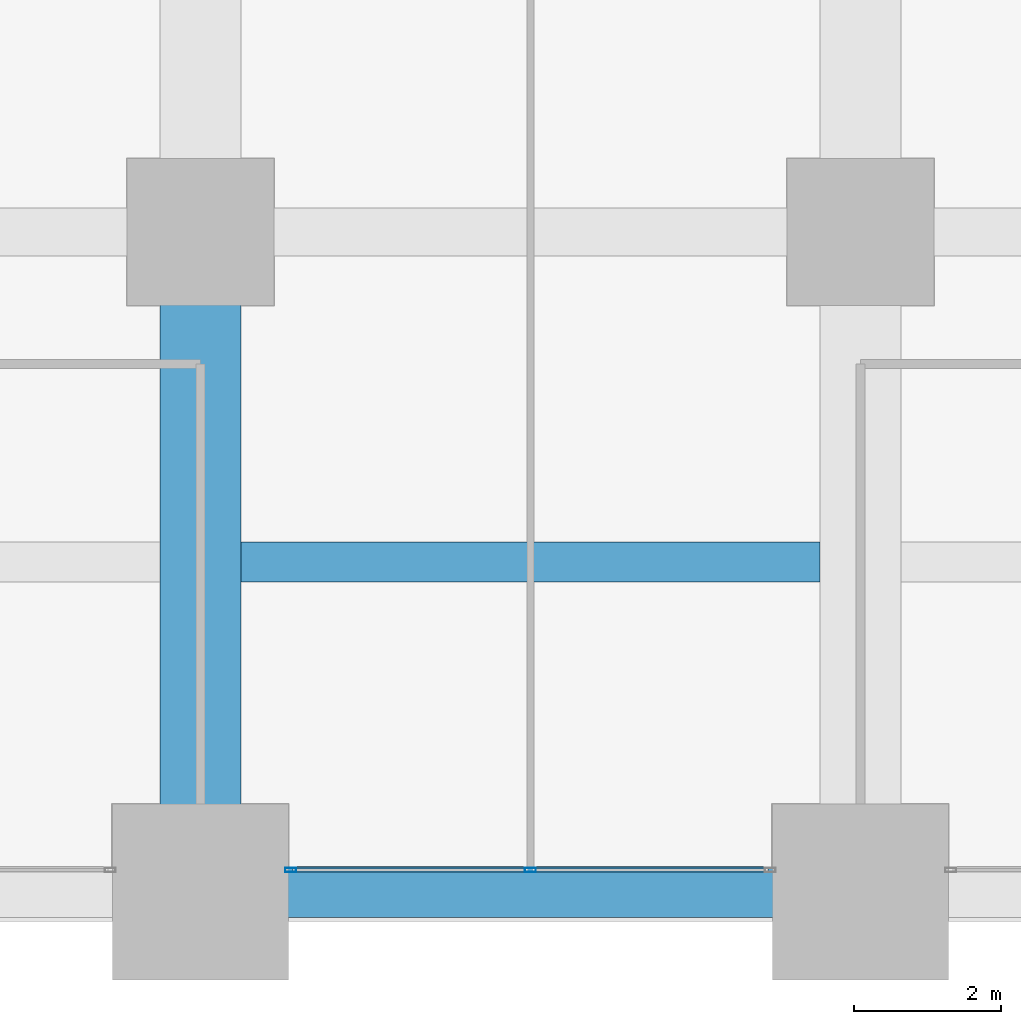
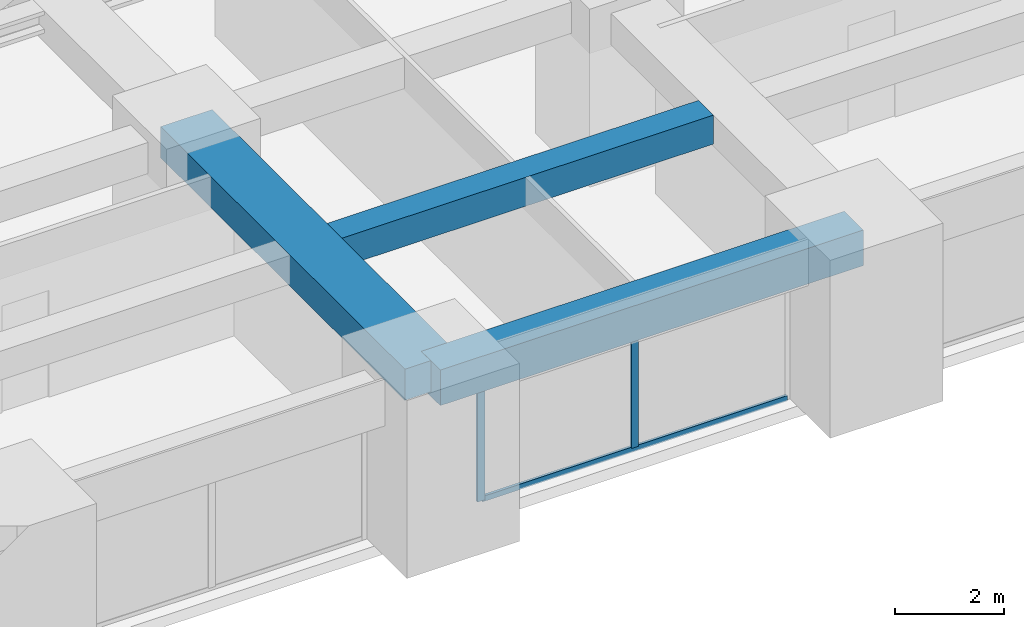
# One storey, part 7 of 39: 3 beams, 3 members, 1 element without a shape of its own.
"""IFC4 building model written with IfcOpenShell, lengths in metres."""

import ifcopenshell
import ifcopenshell.guid

model = None  # the IFC model being written
_history = None  # IfcOwnerHistory: only IFC2X3 demands one
_inside = {}  # id of a spatial element -> (the spatial element, [elements in it])
_under = {}  # id of a project, library or spatial element -> (it, [spatial elements below it])
_declared = {}  # id of a project -> (the project, [libraries it declares])
_typed = {}  # id of a type object -> (the type object, [elements of that type])
_made_of = {}  # id of a material, layer set ... -> (it, [elements and type objects made of it])


def new_model(schema):
    """Start an empty IFC model of exactly this schema.

    Asked for "IFC4X3", IfcOpenShell would pick the latest addendum, in which some entities
    have other attributes; the version numbers below select the first issue.
    IFC2X3 requires an IfcOwnerHistory on every rooted entity: one is made here for all.
    """
    global model, _history
    if schema == "IFC4X3":
        model = ifcopenshell.file(schema_version=(4, 3, 0, 0))
    else:
        model = ifcopenshell.file(schema=schema)
    _inside.clear()
    _under.clear()
    _declared.clear()
    _typed.clear()
    _made_of.clear()
    _history = None
    if model.schema == "IFC2X3":
        org = make("IfcOrganization", Name="unknown")
        user = make(
            "IfcPersonAndOrganization",
            ThePerson=make("IfcPerson", FamilyName="unknown"),
            TheOrganization=org,
        )
        app = make(
            "IfcApplication",
            ApplicationDeveloper=org,
            Version="unknown",
            ApplicationFullName="unknown",
            ApplicationIdentifier="unknown",
        )
        _history = make(
            "IfcOwnerHistory",
            OwningUser=user,
            OwningApplication=app,
            ChangeAction="ADDED",
            CreationDate=0,
        )
    return model


def make(cls, **values):
    """One entity of the class cls with the attributes given. An attribute that is None is left unset."""
    return model.create_entity(
        cls, **{name: value for name, value in values.items() if value is not None}
    )


def rooted(cls, **values):
    """An entity with a GlobalId (a new one), such as an element, a storey or a relation."""
    return make(cls, GlobalId=ifcopenshell.guid.new(), OwnerHistory=_history, **values)


def si_unit(unit_type, name, prefix=None):
    """IfcSIUnit, for example si_unit("LENGTHUNIT", "METRE", prefix="MILLI")."""
    return make("IfcSIUnit", UnitType=unit_type, Prefix=prefix, Name=name)


def assignment(units):
    """IfcUnitAssignment: the units of a project."""
    return None if units is None else make("IfcUnitAssignment", Units=units)


def point(xyz):
    """IfcCartesianPoint."""
    return None if xyz is None else make("IfcCartesianPoint", Coordinates=xyz)


def direction(xyz):
    """IfcDirection."""
    return None if xyz is None else make("IfcDirection", DirectionRatios=xyz)


def frame(location, z_axis=None, x_axis=None):
    """IfcAxis2Placement3D, a coordinate frame: its origin and axes. An axis left out is left unset."""
    return make(
        "IfcAxis2Placement3D",
        Location=point(location),
        Axis=direction(z_axis),
        RefDirection=direction(x_axis),
    )


def frame_2d(location, x_axis=None):
    """IfcAxis2Placement2D, a coordinate frame in the plane: its origin and x axis."""
    return make(
        "IfcAxis2Placement2D", Location=point(location), RefDirection=direction(x_axis)
    )


def origin():
    """The frame at (0, 0, 0) with its axes left unset."""
    return frame((0.0, 0.0, 0.0))


def origin_2d():
    """The frame at (0, 0) in the plane with its x axis left unset."""
    return frame_2d((0.0, 0.0))


def place(relative_to, where):
    """IfcLocalPlacement: puts the frame where relative to a parent placement (None: the world)."""
    return make(
        "IfcLocalPlacement", PlacementRelTo=relative_to, RelativePlacement=where
    )


def context(
    kind, dimensions, precision=None, world=None, true_north=None, identifier=None
):
    """IfcGeometricRepresentationContext, for example the 3D "Model" context."""
    return make(
        "IfcGeometricRepresentationContext",
        ContextIdentifier=identifier,
        ContextType=kind,
        CoordinateSpaceDimension=dimensions,
        Precision=precision,
        WorldCoordinateSystem=world,
        TrueNorth=true_north,
    )


def subcontext(parent, identifier, kind, view, scale=None):
    """IfcGeometricRepresentationSubContext, for example "Body" below "Model"."""
    return make(
        "IfcGeometricRepresentationSubContext",
        ContextIdentifier=identifier,
        ContextType=kind,
        ParentContext=parent,
        TargetScale=scale,
        TargetView=view,
    )


def project(units=None, contexts=None):
    """IfcProject with its units and contexts."""
    return rooted(
        "IfcProject",
        Name="project",
        RepresentationContexts=contexts,
        UnitsInContext=assignment(units),
    )


def spatial(cls, under=None, at=None, **own):
    """A site, building, storey or space (cls), placed at a placement, below another one or the project."""
    s = rooted(cls, ObjectPlacement=at, **own)
    if under is not None:
        _under.setdefault(under.id(), (under, []))[1].append(s)
    return s


def profile(cls, at=None, kind="AREA", **sizes):
    """A parametric profile (cls). Its sizes go by their IFC names, for example OverallWidth=200.0."""
    return make(cls, ProfileType=kind, Position=at, **sizes)


def rectangle(**sizes):
    """IfcRectangleProfileDef."""
    return profile("IfcRectangleProfileDef", **sizes)


def hollow_rectangle(**sizes):
    """IfcRectangleHollowProfileDef."""
    return profile("IfcRectangleHollowProfileDef", **sizes)


def extrude(swept, where, along, depth):
    """IfcExtrudedAreaSolid: the profile swept, set in the frame where, extruded along a direction by depth."""
    return make(
        "IfcExtrudedAreaSolid",
        SweptArea=swept,
        Position=where,
        ExtrudedDirection=direction(along),
        Depth=depth,
    )


def shape(context_of_items, identifier, shape_type, items):
    """IfcShapeRepresentation: the items that make up one representation, for example the "Body"."""
    return make(
        "IfcShapeRepresentation",
        ContextOfItems=context_of_items,
        RepresentationIdentifier=identifier,
        RepresentationType=shape_type,
        Items=items,
    )


def material(Name=None, Category=None):
    """IfcMaterial."""
    return make("IfcMaterial", Name=Name, Category=Category)


def material_profile(
    of_material, cross_section, Name=None, Category=None, Priority=None
):
    """IfcMaterialProfile: a cross section and its material."""
    return make(
        "IfcMaterialProfile",
        Name=Name,
        Material=of_material,
        Profile=cross_section,
        Priority=Priority,
        Category=Category,
    )


def profile_set(profiles, Name=None, composite=None):
    """IfcMaterialProfileSet."""
    return make(
        "IfcMaterialProfileSet",
        Name=Name,
        MaterialProfiles=profiles,
        CompositeProfile=composite,
    )


def made_of(thing, what):
    """Note that an element or type object is made of a material, layer set ...; save() writes the relation."""
    if what is not None:
        _made_of.setdefault(what.id(), (what, []))[1].append(thing)
    return thing


def type_object(cls, material=None, **own):
    """A type object (cls), such as IfcWallType, which elements share."""
    return made_of(rooted(cls, **own), material)


def element(
    cls,
    number,
    at=None,
    inside=None,
    cuts=None,
    type_object=None,
    material=None,
    context=None,
    identifier="Body",
    shape_type=None,
    held_by="IfcProductDefinitionShape",
    body=None,
    shapes=None,
    **own,
):
    """One element of the class cls, such as IfcWall. Its Tag is "e" and its number.

    at: its placement. inside: the storey or other place that contains it. cuts: it is an
    opening in that element (IfcRelVoidsElement). A single representation is given by context,
    identifier, shape_type and body (its items); several are given by shapes. held_by: the class
    of the entity that holds the representations. save() writes the other relations.
    """
    e = rooted(cls, Tag="e%d" % number, ObjectPlacement=at, **own)
    if body is not None:
        shapes = [shape(context, identifier, shape_type, body)]
    if shapes is not None:
        e.Representation = make(held_by, Representations=shapes)
    if inside is not None:
        _inside.setdefault(inside.id(), (inside, []))[1].append(e)
    if cuts is not None:
        rooted(
            "IfcRelVoidsElement", RelatingBuildingElement=cuts, RelatedOpeningElement=e
        )
    if type_object is not None:
        _typed.setdefault(type_object.id(), (type_object, []))[1].append(e)
    return made_of(e, material)


def aggregate(whole, parts):
    """IfcRelAggregates: a whole, such as a stair, and the parts it consists of."""
    return rooted("IfcRelAggregates", RelatingObject=whole, RelatedObjects=parts)


def save(model, path):
    """Write the relations noted so far, then the file.

    IfcRelAggregates (storeys below a building ...), IfcRelContainedInSpatialStructure (elements
    in a storey), IfcRelDefinesByType, IfcRelAssociatesMaterial and IfcRelDeclares: one each for
    every whole, place, type object, material and project.
    """
    for whole, parts in _under.values():
        aggregate(whole, parts)
    for where, things in _inside.values():
        rooted(
            "IfcRelContainedInSpatialStructure",
            RelatedElements=things,
            RelatingStructure=where,
        )
    for kind, things in _typed.values():
        rooted("IfcRelDefinesByType", RelatedObjects=things, RelatingType=kind)
    for what, things in _made_of.values():
        rooted("IfcRelAssociatesMaterial", RelatedObjects=things, RelatingMaterial=what)
    for by, libraries in _declared.values():
        rooted("IfcRelDeclares", RelatingContext=by, RelatedDefinitions=libraries)
    model.write(path)


model = new_model("IFC4")

# Units and contexts
model_context = context("Model", 3, precision=1e-05, world=origin(), true_north=direction((0.0, 1.0)))
body_context = subcontext(model_context, "Body", "Model", "MODEL_VIEW")
ifc_project = project(units=[si_unit("LENGTHUNIT", "METRE"), si_unit("AREAUNIT", "SQUARE_METRE"), si_unit("VOLUMEUNIT", "CUBIC_METRE"), si_unit("PLANEANGLEUNIT", "RADIAN"), si_unit("MASSUNIT", "GRAM", prefix="KILO")], contexts=[model_context])

# Site, building, storey
site_placement = place(None, origin())
site = spatial("IfcSite", under=ifc_project, at=site_placement, CompositionType="ELEMENT")
building_placement = place(site_placement, origin())
building = spatial("IfcBuilding", under=site, at=building_placement, Name="Zorevar Civic Tower", CompositionType="ELEMENT")
storey_placement = place(building_placement, frame((0.0, 0.0, 117.0)))
storey = spatial("IfcBuildingStorey", under=building, at=storey_placement, Name="L28", CompositionType="ELEMENT", Elevation=117.0)

# Beams
ifc_material_1 = material(Name="Concrete C50/60", Category="concrete")
ifc_material_profile_1 = material_profile(ifc_material_1, rectangle(XDim=1.10009765625, YDim=0.699951171875, at=origin_2d()), Name="RC 1100x700")
ifc_profile_set_1 = profile_set([ifc_material_profile_1], Name="Concrete C50/60")
beam_type_1 = type_object("IfcBeamType", Name="Beam RC 1100x700", PredefinedType="BEAM", material=ifc_profile_set_1)
beam_1_placement = place(storey_placement, frame((27.0, 0.0, 3.39990234375), z_axis=(0.0, 1.0, 0.0), x_axis=(-1.0, 0.0, 0.0)))
element("IfcBeam", 1, at=beam_1_placement, inside=storey, type_object=beam_type_1, Name="Girder L29", PredefinedType="BEAM", context=body_context, shape_type="SweptSolid", body=[
    extrude(rectangle(XDim=1.10009765625, YDim=0.699951171875, at=origin_2d()), origin(), (0.0, 0.0, 1.0), 9.0),
])
ifc_material_2 = material(Name="Concrete C50/60", Category="concrete")
ifc_material_profile_2 = material_profile(ifc_material_2, rectangle(XDim=0.550048828125, YDim=0.64990234375, at=origin_2d()), Name="RC 550x650")
ifc_profile_set_2 = profile_set([ifc_material_profile_2], Name="Concrete C50/60")
beam_type_2 = type_object("IfcBeamType", Name="Beam RC 550x650", PredefinedType="BEAM", material=ifc_profile_set_2)
beam_2_placement = place(storey_placement, frame((27.550048828125, 4.5, 3.425048828125), z_axis=(1.0, 0.0, 0.0), x_axis=(0.0, 1.0, 0.0)))
element("IfcBeam", 2, at=beam_2_placement, inside=storey, type_object=beam_type_2, Name="Secondary beam L29", PredefinedType="BEAM", context=body_context, shape_type="SweptSolid", body=[
    extrude(rectangle(XDim=0.550048828125, YDim=0.64990234375, at=origin_2d()), origin(), (0.0, 0.0, 1.0), 7.89990234375),
])

# Curtain wall, members
ifc_material_3 = material(Name="Dark grey solar-control glass in black aluminium frame", Category="aluminium")
curtain_wall_type = type_object("IfcCurtainWallType", Name="Curtain wall CW3 mid zone", PredefinedType="NOTDEFINED", material=ifc_material_3)
curtain_wall_placement = place(storey_placement, origin())
curtain_wall = element("IfcCurtainWall", 3, at=curtain_wall_placement, inside=storey, type_object=curtain_wall_type, Name="CW3 L28", PredefinedType="NOTDEFINED")
ifc_material_4 = material(Name="Aluminium, black anodised", Category="aluminium")
ifc_material_profile_3 = material_profile(ifc_material_4, hollow_rectangle(XDim=0.06005859375, YDim=0.14990234375, WallThickness=0.00390625, at=origin_2d()), Name="AL 150x60x4")
ifc_profile_set_3 = profile_set([ifc_material_profile_3], Name="Aluminium, black anodised")
member_type_1 = type_object("IfcMemberType", Name="CW3 mullion AL 150x60x4", PredefinedType="MULLION", material=ifc_profile_set_3)
member_1_placement = place(storey_placement, frame((28.22998046875, 0.300048828125, 0.0), z_axis=(0.0, 0.0, 1.0), x_axis=(0.0, 1.0, 0.0)))
member_1 = element("IfcMember", 4, at=member_1_placement, type_object=member_type_1, Name="CW3 mullion 1", PredefinedType="MULLION", context=body_context, shape_type="SweptSolid", body=[
    extrude(hollow_rectangle(XDim=0.06005859375, YDim=0.14990234375, WallThickness=0.00390625, at=origin_2d()), origin(), (0.0, 0.0, 1.0), 2.949951171875),
])
member_2_placement = place(storey_placement, frame((31.5, 0.300048828125, 0.06005859375), z_axis=(0.0, 0.0, 1.0), x_axis=(0.0, 1.0, 0.0)))
member_2 = element("IfcMember", 5, at=member_2_placement, type_object=member_type_1, Name="CW3 mullion 2", PredefinedType="MULLION", context=body_context, shape_type="SweptSolid", body=[
    extrude(hollow_rectangle(XDim=0.06005859375, YDim=0.14990234375, WallThickness=0.00390625, at=origin_2d()), origin(), (0.0, 0.0, 1.0), 2.889892578125),
])
ifc_material_5 = material(Name="Aluminium, black anodised", Category="aluminium")
ifc_material_profile_4 = material_profile(ifc_material_5, hollow_rectangle(XDim=0.06005859375, YDim=0.1201171875, WallThickness=0.0029296875, at=origin_2d()), Name="AL 120x60x3")
ifc_profile_set_4 = profile_set([ifc_material_profile_4], Name="Aluminium, black anodised")
member_type_2 = type_object("IfcMemberType", Name="CW3 transom AL 120x60x3", PredefinedType="USERDEFINED", material=ifc_profile_set_4)
member_3_placement = place(storey_placement, frame((28.260009765625, 0.300048828125, 0.030029296875), z_axis=(1.0, 0.0, 0.0), x_axis=(0.0, 1.0, 0.0)))
member_3 = element("IfcMember", 6, at=member_3_placement, type_object=member_type_2, Name="CW3 sill transom", ObjectType="TRANSOM", PredefinedType="USERDEFINED", context=body_context, shape_type="SweptSolid", body=[
    extrude(hollow_rectangle(XDim=0.06005859375, YDim=0.1201171875, WallThickness=0.0029296875, at=origin_2d()), origin(), (0.0, 0.0, 1.0), 6.47998046875),
])
aggregate(curtain_wall, [member_1, member_2, member_3])

# Beam
ifc_material_6 = material(Name="Concrete C50/60", Category="concrete")
ifc_material_profile_5 = material_profile(ifc_material_6, rectangle(XDim=0.699951171875, YDim=0.800048828125, at=origin_2d()), Name="RC 700x800")
ifc_profile_set_5 = profile_set([ifc_material_profile_5], Name="Concrete C50/60")
beam_type_3 = type_object("IfcBeamType", Name="Edge beam RC 700x800", PredefinedType="SPANDREL", material=ifc_profile_set_5)
beam_3_placement = place(storey_placement, frame((27.0, 0.0, 3.35009765625), z_axis=(1.0, 0.0, 0.0), x_axis=(0.0, 1.0, 0.0)))
element("IfcBeam", 7, at=beam_3_placement, inside=storey, type_object=beam_type_3, Name="Edge beam L29", PredefinedType="SPANDREL", context=body_context, shape_type="SweptSolid", body=[
    extrude(rectangle(XDim=0.699951171875, YDim=0.800048828125, at=origin_2d()), origin(), (0.0, 0.0, 1.0), 9.0),
])

save(model, "model.ifc")
